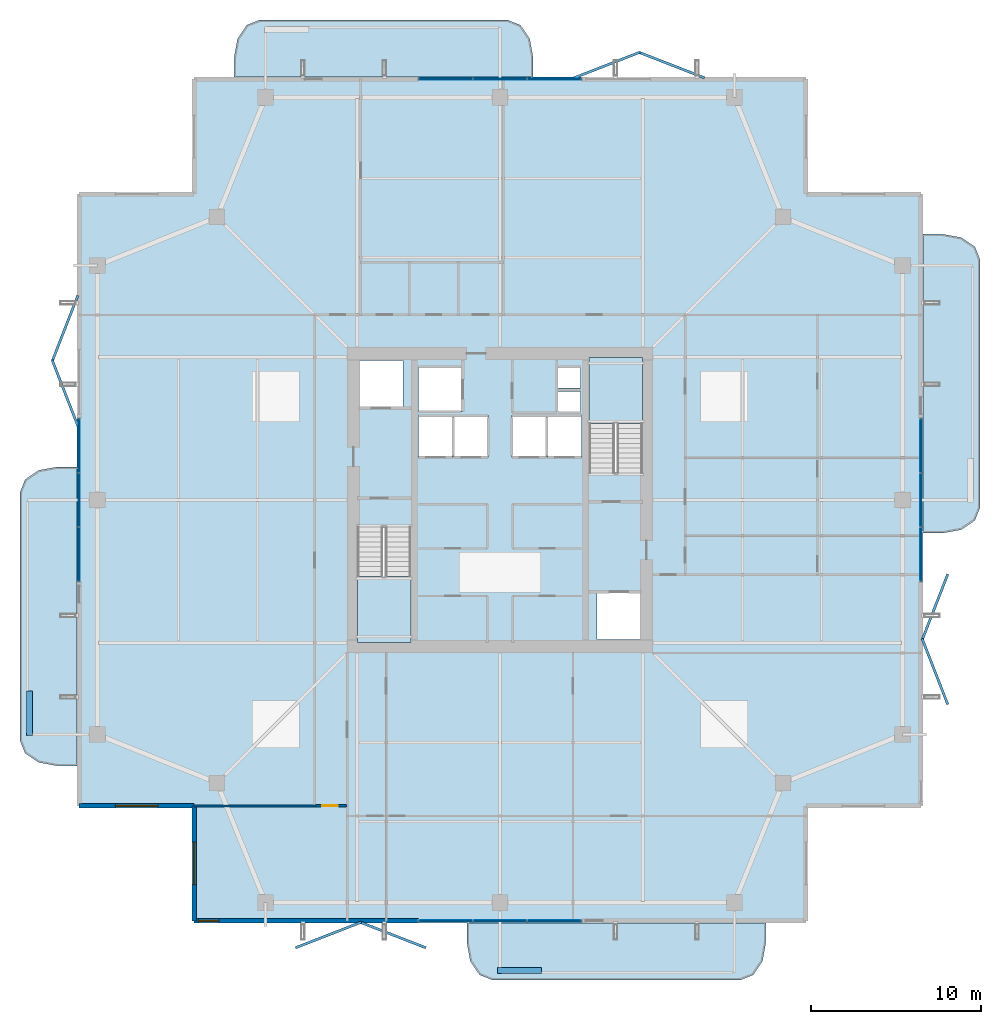
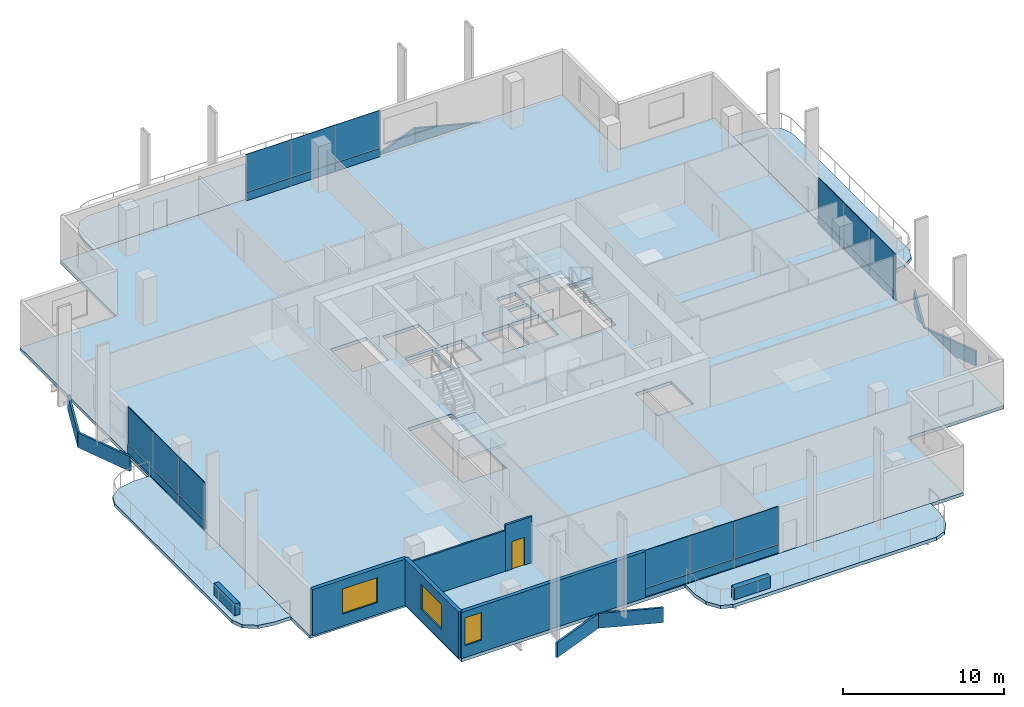
# One storey, part 17 of 25: 32 plates, 7 slabs, 7 walls, 3 windows, 1 door, 4 openings, 6 elements without a shape of their own.
"""IFC4 building model written with IfcOpenShell, lengths in metres."""

from ifc_helpers import new_model, si_unit, direction, frame, frame_2d, origin, origin_2d, place, context, subcontext, project, spatial, polyline, rectangle, outline, extrude, material, layer, layer_set, type_object, element, fill, aggregate, save


model = new_model("IFC4")

# Units and contexts
model_context = context("Model", 3, precision=1e-05, world=origin(), true_north=direction((0.0, 1.0)))
body_context = subcontext(model_context, "Body", "Model", "MODEL_VIEW")
ifc_project = project(units=[si_unit("LENGTHUNIT", "METRE"), si_unit("AREAUNIT", "SQUARE_METRE"), si_unit("VOLUMEUNIT", "CUBIC_METRE"), si_unit("PLANEANGLEUNIT", "RADIAN"), si_unit("MASSUNIT", "GRAM", prefix="KILO")], contexts=[model_context])

# Site, building, storey
site_placement = place(None, origin())
site = spatial("IfcSite", under=ifc_project, at=site_placement, CompositionType="ELEMENT")
building_placement = place(site_placement, origin())
building = spatial("IfcBuilding", under=site, at=building_placement, Name="Belovzor Exchange Tower", CompositionType="ELEMENT")
storey_placement = place(building_placement, frame((0.0, 0.0, 250.35009765625)))
storey = spatial("IfcBuildingStorey", under=building, at=storey_placement, Name="L62", CompositionType="ELEMENT", Elevation=250.35009765625)

# Slab
ifc_material_1 = material(Name="Concrete C40/50", Category="concrete")
ifc_layer_1 = layer(ifc_material_1, 0.25)
ifc_layer_set_1 = layer_set([ifc_layer_1], Name="Concrete C40/50")
slab_type_1 = type_object("IfcSlabType", Name="Composite Concrete Floor Deck Slab 250", PredefinedType="FLOOR", material=ifc_layer_set_1)
slab_1_placement = place(storey_placement, frame((0.0, 0.0, -0.25)))
element("IfcSlab", 1, at=slab_1_placement, inside=storey, type_object=slab_type_1, Name="SL-F250 Structural Slab L62", PredefinedType="FLOOR", context=body_context, shape_type="SweptSolid", body=[
    extrude(outline(polyline([(10.800048828125, 3.89990234375), (46.800048828125, 3.89990234375), (46.800048828125, 10.800048828125), (53.699951171875, 10.800048828125), (53.699951171875, 46.800048828125), (46.800048828125, 46.800048828125), (46.800048828125, 53.699951171875), (10.800048828125, 53.699951171875), (10.800048828125, 46.800048828125), (3.89990234375, 46.800048828125), (3.89990234375, 10.800048828125), (10.800048828125, 10.800048828125), (10.800048828125, 3.89990234375)]), holes=[polyline([(20.39990234375, 27.175048828125), (20.39990234375, 20.39990234375), (23.550048828125, 20.39990234375), (23.550048828125, 27.175048828125), (20.39990234375, 27.175048828125)]), polyline([(37.199951171875, 30.425048828125), (37.199951171875, 37.199951171875), (34.050048828125, 37.199951171875), (34.050048828125, 30.425048828125), (37.199951171875, 30.425048828125)]), polyline([(20.5, 34.199951171875), (23.10009765625, 34.199951171875), (23.10009765625, 37.0), (20.5, 37.0), (20.5, 34.199951171875)]), polyline([(34.5, 20.60009765625), (37.10009765625, 20.60009765625), (37.10009765625, 23.39990234375), (34.5, 23.39990234375), (34.5, 20.60009765625)]), polyline([(24.0, 34.0), (26.60009765625, 34.0), (26.60009765625, 36.60009765625), (24.0, 36.60009765625), (24.0, 34.0)]), polyline([(24.0, 31.300048828125), (26.0, 31.300048828125), (26.0, 33.800048828125), (24.0, 33.800048828125), (24.0, 31.300048828125)]), polyline([(26.10009765625, 31.300048828125), (28.10009765625, 31.300048828125), (28.10009765625, 33.800048828125), (26.10009765625, 33.800048828125), (26.10009765625, 31.300048828125)]), polyline([(29.5, 31.300048828125), (31.5, 31.300048828125), (31.5, 33.800048828125), (29.5, 33.800048828125), (29.5, 31.300048828125)]), polyline([(31.60009765625, 31.300048828125), (33.60009765625, 31.300048828125), (33.60009765625, 33.800048828125), (31.60009765625, 33.800048828125), (31.60009765625, 31.300048828125)]), polyline([(32.199951171875, 34.0), (33.550048828125, 34.0), (33.550048828125, 35.199951171875), (32.199951171875, 35.199951171875), (32.199951171875, 34.0)]), polyline([(32.199951171875, 35.39990234375), (33.550048828125, 35.39990234375), (33.550048828125, 36.60009765625), (32.199951171875, 36.60009765625), (32.199951171875, 35.39990234375)])]), origin(), (0.0, 0.0, 1.0), 0.25),
])

# Curtain wall, plates
ifc_material_2 = material(Name="Anodised Aluminium Framing", Category="aluminium")
ifc_layer_2 = layer(ifc_material_2, 0.179931640625)
ifc_layer_set_2 = layer_set([ifc_layer_2], Name="Anodised Aluminium Framing")
curtain_wall_type = type_object("IfcCurtainWallType", Name="Recessed Loggia Low-Iron Triple-Glazed Curtain Wall", PredefinedType="NOTDEFINED", material=ifc_layer_set_2)
curtain_wall_1_placement = place(storey_placement, origin())
curtain_wall_1 = element("IfcCurtainWall", 2, at=curtain_wall_1_placement, inside=storey, type_object=curtain_wall_type, Name="CW3 Recessed Loggia Low-Iron Triple-Glazed Curtain Wall L62", PredefinedType="NOTDEFINED")
ifc_material_3 = material(Name="Solar-Control Triple Glazing", Category="glass")
ifc_layer_3 = layer(ifc_material_3, 0.0439453125)
ifc_layer_set_3 = layer_set([ifc_layer_3], Name="Solar-Control Triple Glazing")
plate_type_1 = type_object("IfcPlateType", Name="Insulated Solar Glazing Curtain Panel 44", PredefinedType="CURTAIN_PANEL", material=ifc_layer_set_3)
plate_1_placement = place(storey_placement, frame((32.0, 4.030029296875, 0.6318359375), z_axis=(0.0, 0.0, 1.0), x_axis=(-1.0, 0.0, 0.0)))
plate_1 = element("IfcPlate", 3, at=plate_1_placement, type_object=plate_type_1, Name="GLZ-44 Glazed Curtain Panel 1", PredefinedType="CURTAIN_PANEL", context=body_context, shape_type="SweptSolid", body=[
    extrude(rectangle(XDim=3.18408203125, YDim=0.0439453125, at=origin_2d()), origin(), (0.0, 0.0, 1.0), 2.867919921875),
])
plate_2_placement = place(storey_placement, frame((28.800048828125, 4.030029296875, 0.6318359375), z_axis=(0.0, 0.0, 1.0), x_axis=(-1.0, 0.0, 0.0)))
plate_2 = element("IfcPlate", 4, at=plate_2_placement, type_object=plate_type_1, Name="GLZ-44 Glazed Curtain Panel 2", PredefinedType="CURTAIN_PANEL", context=body_context, shape_type="SweptSolid", body=[
    extrude(rectangle(XDim=3.18408203125, YDim=0.0439453125, at=origin_2d()), origin(), (0.0, 0.0, 1.0), 2.867919921875),
])
plate_3_placement = place(storey_placement, frame((25.60009765625, 4.030029296875, 0.6318359375), z_axis=(0.0, 0.0, 1.0), x_axis=(-1.0, 0.0, 0.0)))
plate_3 = element("IfcPlate", 5, at=plate_3_placement, type_object=plate_type_1, Name="GLZ-44 Glazed Curtain Panel 3", PredefinedType="CURTAIN_PANEL", context=body_context, shape_type="SweptSolid", body=[
    extrude(rectangle(XDim=3.18408203125, YDim=0.0439453125, at=origin_2d()), origin(), (0.0, 0.0, 1.0), 2.867919921875),
])

curtain_wall_2_placement = place(storey_placement, origin())
curtain_wall_2 = element("IfcCurtainWall", 6, at=curtain_wall_2_placement, inside=storey, type_object=curtain_wall_type, Name="CW3 Recessed Loggia Low-Iron Triple-Glazed Curtain Wall L62", PredefinedType="NOTDEFINED")
plate_4_placement = place(storey_placement, frame((25.60009765625, 53.570068359375, 0.6318359375), z_axis=(0.0, 0.0, 1.0), x_axis=(1.0, 0.0, 0.0)))
plate_4 = element("IfcPlate", 7, at=plate_4_placement, type_object=plate_type_1, Name="GLZ-44 Glazed Curtain Panel 1", PredefinedType="CURTAIN_PANEL", context=body_context, shape_type="SweptSolid", body=[
    extrude(rectangle(XDim=3.18408203125, YDim=0.0439453125, at=origin_2d()), origin(), (0.0, 0.0, 1.0), 2.867919921875),
])
plate_5_placement = place(storey_placement, frame((28.800048828125, 53.570068359375, 0.6318359375), z_axis=(0.0, 0.0, 1.0), x_axis=(1.0, 0.0, 0.0)))
plate_5 = element("IfcPlate", 8, at=plate_5_placement, type_object=plate_type_1, Name="GLZ-44 Glazed Curtain Panel 2", PredefinedType="CURTAIN_PANEL", context=body_context, shape_type="SweptSolid", body=[
    extrude(rectangle(XDim=3.18408203125, YDim=0.0439453125, at=origin_2d()), origin(), (0.0, 0.0, 1.0), 2.867919921875),
])
plate_6_placement = place(storey_placement, frame((32.0, 53.570068359375, 0.6318359375), z_axis=(0.0, 0.0, 1.0), x_axis=(1.0, 0.0, 0.0)))
plate_6 = element("IfcPlate", 9, at=plate_6_placement, type_object=plate_type_1, Name="GLZ-44 Glazed Curtain Panel 3", PredefinedType="CURTAIN_PANEL", context=body_context, shape_type="SweptSolid", body=[
    extrude(rectangle(XDim=3.18408203125, YDim=0.0439453125, at=origin_2d()), origin(), (0.0, 0.0, 1.0), 2.867919921875),
])

curtain_wall_3_placement = place(storey_placement, origin())
curtain_wall_3 = element("IfcCurtainWall", 10, at=curtain_wall_3_placement, inside=storey, type_object=curtain_wall_type, Name="CW3 Recessed Loggia Low-Iron Triple-Glazed Curtain Wall L62", PredefinedType="NOTDEFINED")
plate_7_placement = place(storey_placement, frame((4.030029296875, 25.60009765625, 0.6318359375), z_axis=(0.0, 0.0, 1.0), x_axis=(0.0, 1.0, 0.0)))
plate_7 = element("IfcPlate", 11, at=plate_7_placement, type_object=plate_type_1, Name="GLZ-44 Glazed Curtain Panel 1", PredefinedType="CURTAIN_PANEL", context=body_context, shape_type="SweptSolid", body=[
    extrude(rectangle(XDim=3.18408203125, YDim=0.0439453125, at=origin_2d()), origin(), (0.0, 0.0, 1.0), 2.867919921875),
])
plate_8_placement = place(storey_placement, frame((4.030029296875, 28.800048828125, 0.6318359375), z_axis=(0.0, 0.0, 1.0), x_axis=(0.0, 1.0, 0.0)))
plate_8 = element("IfcPlate", 12, at=plate_8_placement, type_object=plate_type_1, Name="GLZ-44 Glazed Curtain Panel 2", PredefinedType="CURTAIN_PANEL", context=body_context, shape_type="SweptSolid", body=[
    extrude(rectangle(XDim=3.18408203125, YDim=0.0439453125, at=origin_2d()), origin(), (0.0, 0.0, 1.0), 2.867919921875),
])
plate_9_placement = place(storey_placement, frame((4.030029296875, 32.0, 0.6318359375), z_axis=(0.0, 0.0, 1.0), x_axis=(0.0, 1.0, 0.0)))
plate_9 = element("IfcPlate", 13, at=plate_9_placement, type_object=plate_type_1, Name="GLZ-44 Glazed Curtain Panel 3", PredefinedType="CURTAIN_PANEL", context=body_context, shape_type="SweptSolid", body=[
    extrude(rectangle(XDim=3.18408203125, YDim=0.0439453125, at=origin_2d()), origin(), (0.0, 0.0, 1.0), 2.867919921875),
])

curtain_wall_4_placement = place(storey_placement, origin())
curtain_wall_4 = element("IfcCurtainWall", 14, at=curtain_wall_4_placement, inside=storey, type_object=curtain_wall_type, Name="CW3 Recessed Loggia Low-Iron Triple-Glazed Curtain Wall L62", PredefinedType="NOTDEFINED")
plate_10_placement = place(storey_placement, frame((53.570068359375, 32.0, 0.6318359375), z_axis=(0.0, 0.0, 1.0), x_axis=(0.0, -1.0, 0.0)))
plate_10 = element("IfcPlate", 15, at=plate_10_placement, type_object=plate_type_1, Name="GLZ-44 Glazed Curtain Panel 1", PredefinedType="CURTAIN_PANEL", context=body_context, shape_type="SweptSolid", body=[
    extrude(rectangle(XDim=3.18408203125, YDim=0.0439453125, at=origin_2d()), origin(), (0.0, 0.0, 1.0), 2.867919921875),
])
plate_11_placement = place(storey_placement, frame((53.570068359375, 28.800048828125, 0.6318359375), z_axis=(0.0, 0.0, 1.0), x_axis=(0.0, -1.0, 0.0)))
plate_11 = element("IfcPlate", 16, at=plate_11_placement, type_object=plate_type_1, Name="GLZ-44 Glazed Curtain Panel 2", PredefinedType="CURTAIN_PANEL", context=body_context, shape_type="SweptSolid", body=[
    extrude(rectangle(XDim=3.18408203125, YDim=0.0439453125, at=origin_2d()), origin(), (0.0, 0.0, 1.0), 2.867919921875),
])
plate_12_placement = place(storey_placement, frame((53.570068359375, 25.60009765625, 0.6318359375), z_axis=(0.0, 0.0, 1.0), x_axis=(0.0, -1.0, 0.0)))
plate_12 = element("IfcPlate", 17, at=plate_12_placement, type_object=plate_type_1, Name="GLZ-44 Glazed Curtain Panel 3", PredefinedType="CURTAIN_PANEL", context=body_context, shape_type="SweptSolid", body=[
    extrude(rectangle(XDim=3.18408203125, YDim=0.0439453125, at=origin_2d()), origin(), (0.0, 0.0, 1.0), 2.867919921875),
])

# Stair, slab
ifc_material_4 = material(Name="Concrete C40/50", Category="concrete")
stair_type = type_object("IfcStairType", Name="Reinforced Concrete Dogleg Escape Stair 1350", PredefinedType="HALF_TURN_STAIR", material=ifc_material_4)
stair_1_placement = place(storey_placement, origin())
stair_1 = element("IfcStair", 18, at=stair_1_placement, inside=storey, type_object=stair_type, Name="L62 ST-1", PredefinedType="HALF_TURN_STAIR")
ifc_material_5 = material(Name="Concrete C40/50", Category="concrete")
ifc_layer_4 = layer(ifc_material_5, 0.199951171875)
ifc_layer_set_4 = layer_set([ifc_layer_4], Name="Concrete C40/50")
slab_type_2 = type_object("IfcSlabType", Name="Reinforced Concrete Stair Half-Landing Slab 200", PredefinedType="LANDING", material=ifc_layer_set_4)
slab_2_placement = place(storey_placement, frame((0.0, 0.0, 1.6748046875)))
slab_2 = element("IfcSlab", 19, at=slab_2_placement, type_object=slab_type_2, Name="ST-1 landing 1", PredefinedType="LANDING", context=body_context, shape_type="SweptSolid", body=[
    extrude(outline(polyline([(20.39990234375, 24.300048828125), (20.39990234375, 20.39990234375), (23.550048828125, 20.39990234375), (23.550048828125, 24.300048828125), (20.39990234375, 24.300048828125)])), origin(), (0.0, 0.0, 1.0), 0.2001953125),
])
aggregate(stair_1, [slab_2])

stair_2_placement = place(storey_placement, origin())
stair_2 = element("IfcStair", 20, at=stair_2_placement, inside=storey, type_object=stair_type, Name="L62 ST-2", PredefinedType="HALF_TURN_STAIR")
slab_3_placement = place(storey_placement, frame((0.0, 0.0, 1.6748046875)))
slab_3 = element("IfcSlab", 21, at=slab_3_placement, type_object=slab_type_2, Name="ST-2 landing 1", PredefinedType="LANDING", context=body_context, shape_type="SweptSolid", body=[
    extrude(outline(polyline([(37.199951171875, 33.300048828125), (37.199951171875, 37.199951171875), (34.050048828125, 37.199951171875), (34.050048828125, 33.300048828125), (37.199951171875, 33.300048828125)])), origin(), (0.0, 0.0, 1.0), 0.2001953125),
])
aggregate(stair_2, [slab_3])

# Plate
ifc_material_6 = material(Name="Extruded Architectural Terracotta", Category="masonry")
ifc_layer_5 = layer(ifc_material_6, 0.090087890625)
ifc_layer_set_5 = layer_set([ifc_layer_5], Name="Extruded Architectural Terracotta")
plate_type_2 = type_object("IfcPlateType", Name="Terracotta Shadow-Box Spandrel Panel 90", PredefinedType="CURTAIN_PANEL", material=ifc_layer_set_5)
plate_13_placement = place(storey_placement, frame((32.0, 4.030029296875, 0.0), z_axis=(0.0, 0.0, 1.0), x_axis=(-1.0, 0.0, 0.0)))
plate_13 = element("IfcPlate", 22, at=plate_13_placement, type_object=plate_type_2, Name="SPD-90 Spandrel Panel 1", PredefinedType="CURTAIN_PANEL", context=body_context, shape_type="SweptSolid", body=[
    extrude(rectangle(XDim=3.18408203125, YDim=0.090087890625, at=origin_2d()), origin(), (0.0, 0.0, 1.0), 0.6279296875),
])

plate_14_placement = place(storey_placement, frame((28.800048828125, 4.030029296875, 0.0), z_axis=(0.0, 0.0, 1.0), x_axis=(-1.0, 0.0, 0.0)))
plate_14 = element("IfcPlate", 23, at=plate_14_placement, type_object=plate_type_2, Name="SPD-90 Spandrel Panel 2", PredefinedType="CURTAIN_PANEL", context=body_context, shape_type="SweptSolid", body=[
    extrude(rectangle(XDim=3.18408203125, YDim=0.090087890625, at=origin_2d()), origin(), (0.0, 0.0, 1.0), 0.6279296875),
])

plate_15_placement = place(storey_placement, frame((25.60009765625, 4.030029296875, 0.0), z_axis=(0.0, 0.0, 1.0), x_axis=(-1.0, 0.0, 0.0)))
plate_15 = element("IfcPlate", 24, at=plate_15_placement, type_object=plate_type_2, Name="SPD-90 Spandrel Panel 3", PredefinedType="CURTAIN_PANEL", context=body_context, shape_type="SweptSolid", body=[
    extrude(rectangle(XDim=3.18408203125, YDim=0.090087890625, at=origin_2d()), origin(), (0.0, 0.0, 1.0), 0.6279296875),
])

aggregate(curtain_wall_1, [plate_13, plate_1, plate_14, plate_2, plate_15, plate_3])

plate_16_placement = place(storey_placement, frame((25.60009765625, 53.570068359375, 0.0), z_axis=(0.0, 0.0, 1.0), x_axis=(1.0, 0.0, 0.0)))
plate_16 = element("IfcPlate", 25, at=plate_16_placement, type_object=plate_type_2, Name="SPD-90 Spandrel Panel 1", PredefinedType="CURTAIN_PANEL", context=body_context, shape_type="SweptSolid", body=[
    extrude(rectangle(XDim=3.18408203125, YDim=0.090087890625, at=origin_2d()), origin(), (0.0, 0.0, 1.0), 0.6279296875),
])

plate_17_placement = place(storey_placement, frame((28.800048828125, 53.570068359375, 0.0), z_axis=(0.0, 0.0, 1.0), x_axis=(1.0, 0.0, 0.0)))
plate_17 = element("IfcPlate", 26, at=plate_17_placement, type_object=plate_type_2, Name="SPD-90 Spandrel Panel 2", PredefinedType="CURTAIN_PANEL", context=body_context, shape_type="SweptSolid", body=[
    extrude(rectangle(XDim=3.18408203125, YDim=0.090087890625, at=origin_2d()), origin(), (0.0, 0.0, 1.0), 0.6279296875),
])

plate_18_placement = place(storey_placement, frame((32.0, 53.570068359375, 0.0), z_axis=(0.0, 0.0, 1.0), x_axis=(1.0, 0.0, 0.0)))
plate_18 = element("IfcPlate", 27, at=plate_18_placement, type_object=plate_type_2, Name="SPD-90 Spandrel Panel 3", PredefinedType="CURTAIN_PANEL", context=body_context, shape_type="SweptSolid", body=[
    extrude(rectangle(XDim=3.18408203125, YDim=0.090087890625, at=origin_2d()), origin(), (0.0, 0.0, 1.0), 0.6279296875),
])

aggregate(curtain_wall_2, [plate_16, plate_4, plate_17, plate_5, plate_18, plate_6])

plate_19_placement = place(storey_placement, frame((4.030029296875, 25.60009765625, 0.0), z_axis=(0.0, 0.0, 1.0), x_axis=(0.0, 1.0, 0.0)))
plate_19 = element("IfcPlate", 28, at=plate_19_placement, type_object=plate_type_2, Name="SPD-90 Spandrel Panel 1", PredefinedType="CURTAIN_PANEL", context=body_context, shape_type="SweptSolid", body=[
    extrude(rectangle(XDim=3.18408203125, YDim=0.090087890625, at=origin_2d()), origin(), (0.0, 0.0, 1.0), 0.6279296875),
])

plate_20_placement = place(storey_placement, frame((4.030029296875, 28.800048828125, 0.0), z_axis=(0.0, 0.0, 1.0), x_axis=(0.0, 1.0, 0.0)))
plate_20 = element("IfcPlate", 29, at=plate_20_placement, type_object=plate_type_2, Name="SPD-90 Spandrel Panel 2", PredefinedType="CURTAIN_PANEL", context=body_context, shape_type="SweptSolid", body=[
    extrude(rectangle(XDim=3.18408203125, YDim=0.090087890625, at=origin_2d()), origin(), (0.0, 0.0, 1.0), 0.6279296875),
])

plate_21_placement = place(storey_placement, frame((4.030029296875, 32.0, 0.0), z_axis=(0.0, 0.0, 1.0), x_axis=(0.0, 1.0, 0.0)))
plate_21 = element("IfcPlate", 30, at=plate_21_placement, type_object=plate_type_2, Name="SPD-90 Spandrel Panel 3", PredefinedType="CURTAIN_PANEL", context=body_context, shape_type="SweptSolid", body=[
    extrude(rectangle(XDim=3.18408203125, YDim=0.090087890625, at=origin_2d()), origin(), (0.0, 0.0, 1.0), 0.6279296875),
])

aggregate(curtain_wall_3, [plate_19, plate_7, plate_20, plate_8, plate_21, plate_9])

plate_22_placement = place(storey_placement, frame((53.570068359375, 32.0, 0.0), z_axis=(0.0, 0.0, 1.0), x_axis=(0.0, -1.0, 0.0)))
plate_22 = element("IfcPlate", 31, at=plate_22_placement, type_object=plate_type_2, Name="SPD-90 Spandrel Panel 1", PredefinedType="CURTAIN_PANEL", context=body_context, shape_type="SweptSolid", body=[
    extrude(rectangle(XDim=3.18408203125, YDim=0.090087890625, at=origin_2d()), origin(), (0.0, 0.0, 1.0), 0.6279296875),
])

plate_23_placement = place(storey_placement, frame((53.570068359375, 28.800048828125, 0.0), z_axis=(0.0, 0.0, 1.0), x_axis=(0.0, -1.0, 0.0)))
plate_23 = element("IfcPlate", 32, at=plate_23_placement, type_object=plate_type_2, Name="SPD-90 Spandrel Panel 2", PredefinedType="CURTAIN_PANEL", context=body_context, shape_type="SweptSolid", body=[
    extrude(rectangle(XDim=3.18408203125, YDim=0.090087890625, at=origin_2d()), origin(), (0.0, 0.0, 1.0), 0.6279296875),
])

plate_24_placement = place(storey_placement, frame((53.570068359375, 25.60009765625, 0.0), z_axis=(0.0, 0.0, 1.0), x_axis=(0.0, -1.0, 0.0)))
plate_24 = element("IfcPlate", 33, at=plate_24_placement, type_object=plate_type_2, Name="SPD-90 Spandrel Panel 3", PredefinedType="CURTAIN_PANEL", context=body_context, shape_type="SweptSolid", body=[
    extrude(rectangle(XDim=3.18408203125, YDim=0.090087890625, at=origin_2d()), origin(), (0.0, 0.0, 1.0), 0.6279296875),
])

aggregate(curtain_wall_4, [plate_22, plate_10, plate_23, plate_11, plate_24, plate_12])

# Slabs
ifc_material_7 = material(Name="Concrete C40/50", Category="concrete")
ifc_layer_6 = layer(ifc_material_7, 0.25)
ifc_layer_set_6 = layer_set([ifc_layer_6], Name="Concrete C40/50")
slab_type_3 = type_object("IfcSlabType", Name="Thermally Broken Planted Balcony Slab 250", PredefinedType="FLOOR", material=ifc_layer_set_6)
slab_4_placement = place(storey_placement, frame((0.0, 0.0, -0.25)))
element("IfcSlab", 34, at=slab_4_placement, inside=storey, type_object=slab_type_3, Name="SL-BAL220 Planted Balcony Loggia L62 South", PredefinedType="FLOOR", context=body_context, shape_type="SweptSolid", body=[
    extrude(outline(polyline([(26.85009765625, 3.9150390625), (26.85009765625, 2.75), (27.051025390625, 1.64990234375), (27.60009765625, 0.844970703125), (28.35009765625, 0.550048828125), (42.949951171875, 0.550048828125), (43.699951171875, 0.844970703125), (44.2490234375, 1.64990234375), (44.449951171875, 2.75), (44.449951171875, 3.9150390625), (26.85009765625, 3.9150390625)])), origin(), (0.0, 0.0, 1.0), 0.25),
])
slab_5_placement = place(storey_placement, frame((0.0, 0.0, -0.25)))
element("IfcSlab", 35, at=slab_5_placement, inside=storey, type_object=slab_type_3, Name="SL-BAL220 Planted Balcony Loggia L62 North", PredefinedType="FLOOR", context=body_context, shape_type="SweptSolid", body=[
    extrude(outline(polyline([(30.75, 53.68505859375), (30.75, 54.85009765625), (30.549072265625, 55.949951171875), (30.0, 56.7548828125), (29.25, 57.050048828125), (14.64990234375, 57.050048828125), (13.89990234375, 56.7548828125), (13.35107421875, 55.949951171875), (13.14990234375, 54.85009765625), (13.14990234375, 53.68505859375), (30.75, 53.68505859375)])), origin(), (0.0, 0.0, 1.0), 0.25),
])
slab_6_placement = place(storey_placement, frame((0.0, 0.0, -0.25)))
element("IfcSlab", 36, at=slab_6_placement, inside=storey, type_object=slab_type_3, Name="SL-BAL220 Planted Balcony Loggia L62 East", PredefinedType="FLOOR", context=body_context, shape_type="SweptSolid", body=[
    extrude(outline(polyline([(53.68505859375, 26.85009765625), (54.85009765625, 26.85009765625), (55.949951171875, 27.051025390625), (56.7548828125, 27.60009765625), (57.050048828125, 28.35009765625), (57.050048828125, 42.949951171875), (56.7548828125, 43.699951171875), (55.949951171875, 44.2490234375), (54.85009765625, 44.449951171875), (53.68505859375, 44.449951171875), (53.68505859375, 26.85009765625)])), origin(), (0.0, 0.0, 1.0), 0.25),
])
slab_7_placement = place(storey_placement, frame((0.0, 0.0, -0.25)))
element("IfcSlab", 37, at=slab_7_placement, inside=storey, type_object=slab_type_3, Name="SL-BAL220 Planted Balcony Loggia L62 West", PredefinedType="FLOOR", context=body_context, shape_type="SweptSolid", body=[
    extrude(outline(polyline([(3.9150390625, 30.75), (2.75, 30.75), (1.64990234375, 30.549072265625), (0.844970703125, 30.0), (0.550048828125, 29.25), (0.550048828125, 14.64990234375), (0.844970703125, 13.89990234375), (1.64990234375, 13.35107421875), (2.75, 13.14990234375), (3.9150390625, 13.14990234375), (3.9150390625, 30.75)])), origin(), (0.0, 0.0, 1.0), 0.25),
])

# Plates
ifc_material_8 = material(Name="Extruded Architectural Terracotta", Category="masonry")
ifc_layer_7 = layer(ifc_material_8, 0.14990234375)
ifc_layer_set_7 = layer_set([ifc_layer_7], Name="Extruded Architectural Terracotta")
plate_type_3 = type_object("IfcPlateType", Name="Upper-Crown Deep Folded Zigzag Terracotta Spandrel Louvre 150", PredefinedType="USERDEFINED", material=ifc_layer_set_7)
for number, where, z_axis, x_axis, name in (
    (38, (18.699951171875, 3.199951171875, -1.105224609375), (0.0, 0.0, 1.0), (0.931817969421, 0.362925986758, 0.0), "LVR-ZZ3 Zigzag Terracotta Spandrel Louvre L62 S1A"),
    (39, (22.5, 3.199951171875, -1.105224609375), (0.0, 0.0, 1.0), (0.931817969421, -0.362925986758, 0.0), "LVR-ZZ3 Zigzag Terracotta Spandrel Louvre L62 S1B"),
    (40, (54.39990234375, 18.699951171875, -1.105224609375), (0.0, 0.0, 1.0), (-0.362925986758, 0.931817969421, 0.0), "LVR-ZZ3 Zigzag Terracotta Spandrel Louvre L62 E1A"),
    (41, (54.39990234375, 22.5, -1.105224609375), (0.0, 0.0, 1.0), (0.362925986758, 0.931817969421, 0.0), "LVR-ZZ3 Zigzag Terracotta Spandrel Louvre L62 E1B"),
    (42, (35.10009765625, 54.39990234375, -1.105224609375), (0.0, 0.0, 1.0), (0.931817969421, 0.362925986758, 0.0), "LVR-ZZ3 Zigzag Terracotta Spandrel Louvre L62 N2A"),
    (43, (38.89990234375, 54.39990234375, -1.105224609375), (0.0, 0.0, 1.0), (0.931817969421, -0.362925986758, 0.0), "LVR-ZZ3 Zigzag Terracotta Spandrel Louvre L62 N2B"),
    (44, (3.199951171875, 35.10009765625, -1.105224609375), (0.0, 0.0, 1.0), (-0.362925986758, 0.931817969421, 0.0), "LVR-ZZ3 Zigzag Terracotta Spandrel Louvre L62 W2A"),
    (45, (3.199951171875, 38.89990234375, -1.105224609375), (0.0, 0.0, 1.0), (0.362925986758, 0.931817969421, 0.0), "LVR-ZZ3 Zigzag Terracotta Spandrel Louvre L62 W2B"),
):
    element("IfcPlate", number, at=place(storey_placement, frame(where, z_axis=z_axis, x_axis=x_axis)), inside=storey, type_object=plate_type_3, Name=name, ObjectType="SPANDREL_LOUVRE", PredefinedType="USERDEFINED", context=body_context, shape_type="SweptSolid", body=[
        extrude(rectangle(XDim=4.157958984375, YDim=0.14990234375, at=origin_2d()), origin(), (0.0, 0.0, 1.0), 1.1201171875),
    ])

# Wall
ifc_material_9 = material(Name="Acoustic Plasterboard on Galvanised Studs", Category="gypsum")
ifc_layer_8 = layer(ifc_material_9, 0.1201171875)
ifc_layer_set_8 = layer_set([ifc_layer_8], Name="Acoustic Plasterboard on Galvanised Studs")
wall_type_1 = type_object("IfcWallType", Name="Acoustic Double-Stud Partition Wall 120", PredefinedType="PARTITIONING", material=ifc_layer_set_8)
wall_1_placement = place(storey_placement, frame((10.800048828125, 10.800048828125, 0.0), z_axis=(0.0, 0.0, 1.0), x_axis=(1.0, 0.0, 0.0)))
element("IfcWall", 46, at=wall_1_placement, inside=storey, type_object=wall_type_1, Name="W-P120 Partition Wall W-L62-SWS", PredefinedType="PARTITIONING", context=body_context, shape_type="SweptSolid", body=[
    extrude(rectangle(XDim=7.099853515625, YDim=0.1201171875, at=frame_2d((3.5498046875, 0.0))), origin(), (0.0, 0.0, 1.0), 3.0849609375),
])

# Wall, opening, door
ifc_material_10 = material(Name="Fire-Rated Gypsum Block and Mineral Wool", Category="gypsum")
ifc_layer_9 = layer(ifc_material_10, 0.14990234375)
ifc_layer_set_9 = layer_set([ifc_layer_9], Name="Fire-Rated Gypsum Block and Mineral Wool")
wall_type_2 = type_object("IfcWallType", Name="Fire-Rated Gypsum Block Corridor Wall 150", PredefinedType="PARTITIONING", material=ifc_layer_set_9)
wall_2_placement = place(storey_placement, frame((17.89990234375, 10.800048828125, 0.0), z_axis=(0.0, 0.0, 1.0), x_axis=(1.0, 0.0, 0.0)))
wall_2 = element("IfcWall", 47, at=wall_2_placement, inside=storey, type_object=wall_type_2, Name="W-P150 Partition Wall W-L62-CW-END", PredefinedType="PARTITIONING", context=body_context, shape_type="SweptSolid", body=[
    extrude(rectangle(XDim=1.900146484375, YDim=0.14990234375, at=frame_2d((0.9501953125, 0.0))), origin(), (0.0, 0.0, 1.0), 3.5),
])
opening_1_placement = place(wall_2_placement, frame((0.449951171875, 0.0, 0.0)))
opening_1 = element("IfcOpeningElement", 48, at=opening_1_placement, cuts=wall_2, Name="Opening D-FD60-090", PredefinedType="OPENING", context=body_context, shape_type="SweptSolid", body=[
    extrude(rectangle(XDim=0.89990234375, YDim=2.10009765625, at=frame_2d((0.449951171875, 1.050048828125))), frame((0.0, 0.0849609375, 0.0), z_axis=(0.0, -1.0, 0.0), x_axis=(1.0, 0.0, 0.0)), (0.0, 0.0, 1.0), 0.169921875),
])
ifc_material_11 = material(Name="Acoustic Timber Fire Leaf", Category="wood")
door_type = type_object("IfcDoorType", Name="Core Service & Restroom Fire Door 900x2100", OperationType="NOTDEFINED", PredefinedType="DOOR", material=ifc_material_11)
door_placement = place(opening_1_placement, origin())
door = element("IfcDoor", 49, at=door_placement, inside=storey, type_object=door_type, Name="D-FD60-090 Core Service & Restroom Fire Door 900x2100", OperationType="SINGLE_SWING_LEFT", OverallHeight=2.10009765625, OverallWidth=0.89990234375, PredefinedType="DOOR", context=body_context, shape_type="SweptSolid", body=[
    extrude(rectangle(XDim=0.89990234375, YDim=2.10009765625, at=frame_2d((0.449951171875, 1.050048828125))), frame((0.0, 0.02490234375, 0.0), z_axis=(0.0, -1.0, 0.0), x_axis=(1.0, 0.0, 0.0)), (0.0, 0.0, 1.0), 0.050048828125),
])
fill(opening_1, door)

# Wall, opening, window
ifc_material_12 = material(Name="Precast concrete C40/50", Category="concrete")
ifc_layer_10 = layer(ifc_material_12, 0.280029296875)
ifc_layer_set_10 = layer_set([ifc_layer_10], Name="Precast concrete C40/50")
wall_type_3 = type_object("IfcWallType", Name="Precast Concrete Notched Corner Frame Wall 280", PredefinedType="SOLIDWALL", material=ifc_layer_set_10)
wall_3_placement = place(storey_placement, frame((10.800048828125, 4.030029296875, 0.0), z_axis=(0.0, 0.0, 1.0), x_axis=(0.0, 1.0, 0.0)))
wall_3 = element("IfcWall", 50, at=wall_3_placement, inside=storey, type_object=wall_type_3, Name="W-CRN280 Precast Concrete Notched Corner Frame Wall 280 L62", PredefinedType="SOLIDWALL", context=body_context, shape_type="SweptSolid", body=[
    extrude(rectangle(XDim=6.77001953125, YDim=0.280029296875, at=frame_2d((3.385009765625, 0.0))), origin(), (0.0, 0.0, 1.0), 3.5),
])
opening_2_placement = place(wall_3_placement, frame((2.135009765625, 0.0, 0.89990234375)))
opening_2 = element("IfcOpeningElement", 51, at=opening_2_placement, cuts=wall_3, Name="Opening WN-CRN250", PredefinedType="OPENING", context=body_context, shape_type="SweptSolid", body=[
    extrude(rectangle(XDim=2.5, YDim=1.89990234375, at=frame_2d((1.25, 0.949951171875))), frame((0.0, 0.14990234375, 0.0), z_axis=(0.0, -1.0, 0.0), x_axis=(1.0, 0.0, 0.0)), (0.0, 0.0, 1.0), 0.300048828125),
])
ifc_material_13 = material(Name="Thermally Broken Aluminium and Triple Glazing", Category="aluminium")
window_type_1 = type_object("IfcWindowType", Name="Streamline Moderne Corner Wrap Ribbon Window 2500x1900", PartitioningType="SINGLE_PANEL", PredefinedType="WINDOW", material=ifc_material_13)
window_1_placement = place(opening_2_placement, origin())
window_1 = element("IfcWindow", 52, at=window_1_placement, inside=storey, type_object=window_type_1, Name="WN-CRN250 Streamline Moderne Corner Wrap Ribbon Window 2500x1900", OverallHeight=1.89990234375, OverallWidth=2.5, PartitioningType="SINGLE_PANEL", PredefinedType="WINDOW", context=body_context, shape_type="SweptSolid", body=[
    extrude(rectangle(XDim=2.5, YDim=1.89990234375, at=frame_2d((1.25, 0.949951171875))), frame((0.0, 0.030029296875, 0.0), z_axis=(0.0, -1.0, 0.0), x_axis=(1.0, 0.0, 0.0)), (0.0, 0.0, 1.0), 0.06005859375),
])
fill(opening_2, window_1)

wall_4_placement = place(storey_placement, frame((10.800048828125, 10.800048828125, 0.0), z_axis=(0.0, 0.0, 1.0), x_axis=(-1.0, 0.0, 0.0)))
wall_4 = element("IfcWall", 53, at=wall_4_placement, inside=storey, type_object=wall_type_3, Name="W-CRN280 Precast Concrete Notched Corner Frame Wall 280 L62", PredefinedType="SOLIDWALL", context=body_context, shape_type="SweptSolid", body=[
    extrude(rectangle(XDim=6.77001953125, YDim=0.280029296875, at=frame_2d((3.385009765625, 0.0))), origin(), (0.0, 0.0, 1.0), 3.5),
])
opening_3_placement = place(wall_4_placement, frame((2.135009765625, 0.0, 0.89990234375)))
opening_3 = element("IfcOpeningElement", 54, at=opening_3_placement, cuts=wall_4, Name="Opening WN-CRN250", PredefinedType="OPENING", context=body_context, shape_type="SweptSolid", body=[
    extrude(rectangle(XDim=2.5, YDim=1.89990234375, at=frame_2d((1.25, 0.949951171875))), frame((0.0, 0.14990234375, 0.0), z_axis=(0.0, -1.0, 0.0), x_axis=(1.0, 0.0, 0.0)), (0.0, 0.0, 1.0), 0.300048828125),
])
window_2_placement = place(opening_3_placement, origin())
window_2 = element("IfcWindow", 55, at=window_2_placement, inside=storey, type_object=window_type_1, Name="WN-CRN250 Streamline Moderne Corner Wrap Ribbon Window 2500x1900", OverallHeight=1.89990234375, OverallWidth=2.5, PartitioningType="SINGLE_PANEL", PredefinedType="WINDOW", context=body_context, shape_type="SweptSolid", body=[
    extrude(rectangle(XDim=2.5, YDim=1.89990234375, at=frame_2d((1.25, 0.949951171875))), frame((0.0, 0.030029296875, 0.0), z_axis=(0.0, -1.0, 0.0), x_axis=(1.0, 0.0, 0.0)), (0.0, 0.0, 1.0), 0.06005859375),
])
fill(opening_3, window_2)

ifc_material_14 = material(Name="Precast concrete C40/50", Category="concrete")
ifc_layer_11 = layer(ifc_material_14, 0.260009765625)
ifc_layer_set_11 = layer_set([ifc_layer_11], Name="Precast concrete C40/50")
wall_type_4 = type_object("IfcWallType", Name="Precast Concrete Perimeter Loggia Frame Wall 260", PredefinedType="SOLIDWALL", material=ifc_layer_set_11)
wall_5_placement = place(storey_placement, frame((24.0, 4.030029296875, 0.0), z_axis=(0.0, 0.0, 1.0), x_axis=(-1.0, 0.0, 0.0)))
wall_5 = element("IfcWall", 56, at=wall_5_placement, inside=storey, type_object=wall_type_4, Name="W-EXT260 Precast Concrete Perimeter Loggia Frame Wall 260 L62", PredefinedType="SOLIDWALL", context=body_context, shape_type="SweptSolid", body=[
    extrude(rectangle(XDim=13.199951171875, YDim=0.260009765625, at=frame_2d((6.60009765625, 0.0))), origin(), (0.0, 0.0, 1.0), 3.5),
])
opening_4_placement = place(wall_5_placement, frame((11.75, 0.0, 0.89990234375)))
opening_4 = element("IfcOpeningElement", 57, at=opening_4_placement, cuts=wall_5, Name="Opening WN-CRN120", PredefinedType="OPENING", context=body_context, shape_type="SweptSolid", body=[
    extrude(rectangle(XDim=1.199951171875, YDim=2.10009765625, at=frame_2d((0.60009765625, 1.050048828125))), frame((0.0, 0.139892578125, 0.0), z_axis=(0.0, -1.0, 0.0), x_axis=(1.0, 0.0, 0.0)), (0.0, 0.0, 1.0), 0.280029296875),
])
ifc_material_15 = material(Name="Thermally Broken Aluminium and Triple Glazing", Category="aluminium")
window_type_2 = type_object("IfcWindowType", Name="Streamline Notched Corner Window 1200x2100", PartitioningType="SINGLE_PANEL", PredefinedType="WINDOW", material=ifc_material_15)
window_3_placement = place(opening_4_placement, origin())
window_3 = element("IfcWindow", 58, at=window_3_placement, inside=storey, type_object=window_type_2, Name="WN-CRN120 Streamline Notched Corner Window 1200x2100", OverallHeight=2.10009765625, OverallWidth=1.199951171875, PartitioningType="SINGLE_PANEL", PredefinedType="WINDOW", context=body_context, shape_type="SweptSolid", body=[
    extrude(rectangle(XDim=1.199951171875, YDim=2.10009765625, at=frame_2d((0.60009765625, 1.050048828125))), frame((0.0, 0.030029296875, 0.0), z_axis=(0.0, -1.0, 0.0), x_axis=(1.0, 0.0, 0.0)), (0.0, 0.0, 1.0), 0.06005859375),
])
fill(opening_4, window_3)

# Walls
ifc_material_16 = material(Name="Precast concrete C40/50", Category="concrete")
ifc_layer_12 = layer(ifc_material_16, 0.35009765625)
ifc_layer_set_12 = layer_set([ifc_layer_12], Name="Precast concrete C40/50")
wall_type_5 = type_object("IfcWallType", Name="Precast Concrete Structural Tree Planter Trough 350", PredefinedType="PARAPET", material=ifc_layer_set_12)
for number, where, z_axis, x_axis, name in (
    (59, (28.64990234375, 1.10009765625, 0.0), (0.0, 0.0, 1.0), (1.0, 0.0, 0.0), "PT-350 Precast Concrete Structural Tree Planter Trough 350 L62"),
    (60, (1.10009765625, 14.949951171875, 0.0), (0.0, 0.0, 1.0), (0.0, 1.0, 0.0), "PT-350 Precast Concrete Structural Tree Planter Trough 350 L62"),
):
    element("IfcWall", number, at=place(storey_placement, frame(where, z_axis=z_axis, x_axis=x_axis)), inside=storey, type_object=wall_type_5, Name=name, PredefinedType="PARAPET", context=body_context, shape_type="SweptSolid", body=[
        extrude(rectangle(XDim=2.60009765625, YDim=0.35009765625, at=frame_2d((1.300048828125, 0.0))), origin(), (0.0, 0.0, 1.0), 0.89990234375),
    ])

save(model, "model.ifc")
